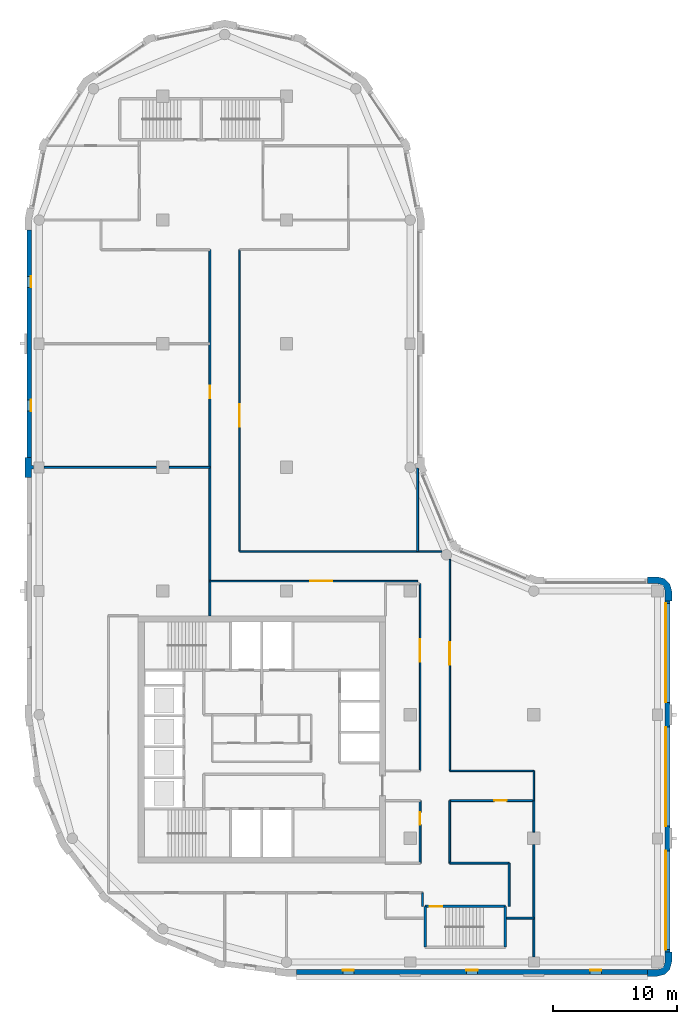
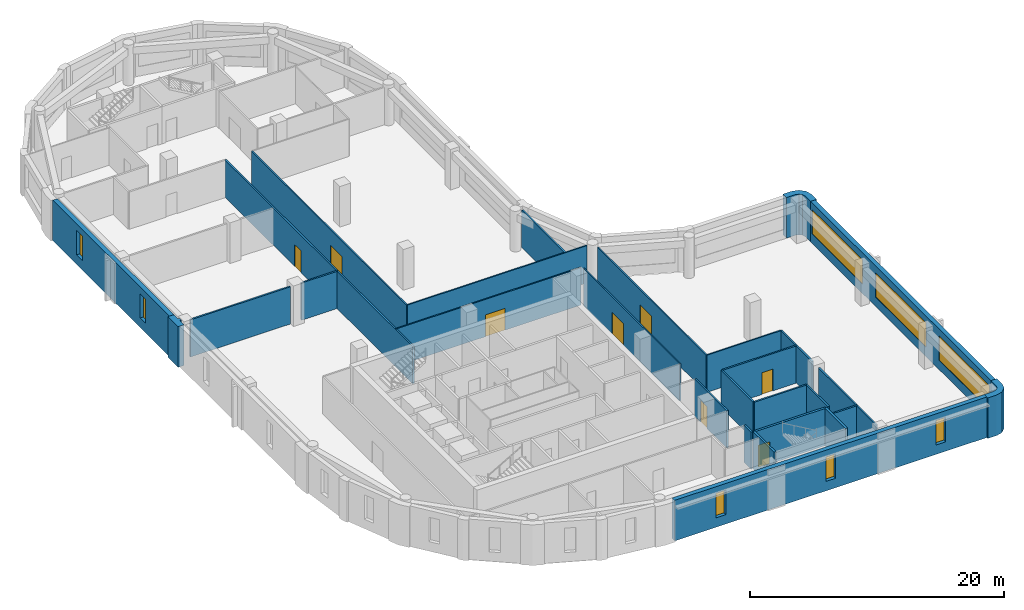
# One storey, part 4 of 9: 29 walls, 8 doors, 8 windows, 16 openings.
"""IFC4 building model written with IfcOpenShell, lengths in metres."""

from ifc_helpers import new_model, si_unit, direction, frame, frame_2d, origin, place, context, subcontext, project, spatial, polyline, rectangle, outline, extrude, material, layer, layer_set, type_object, element, fill, save


model = new_model("IFC4")

# Units and contexts
model_context = context("Model", 3, precision=1e-05, world=origin(), true_north=direction((0.0, 1.0)))
body_context = subcontext(model_context, "Body", "Model", "MODEL_VIEW")
ifc_project = project(units=[si_unit("LENGTHUNIT", "METRE"), si_unit("AREAUNIT", "SQUARE_METRE"), si_unit("VOLUMEUNIT", "CUBIC_METRE"), si_unit("PLANEANGLEUNIT", "RADIAN"), si_unit("MASSUNIT", "GRAM", prefix="KILO")], contexts=[model_context])

# Site, building, storey
site_placement = place(None, origin())
site = spatial("IfcSite", under=ifc_project, at=site_placement, CompositionType="ELEMENT")
building_placement = place(site_placement, origin())
building = spatial("IfcBuilding", under=site, at=building_placement, Name="Qaws Garden Tower", CompositionType="ELEMENT")
storey_placement = place(building_placement, frame((0.0, 0.0, 255.300048828125)))
storey = spatial("IfcBuildingStorey", under=building, at=storey_placement, Name="L61", CompositionType="ELEMENT", Elevation=255.300048828125)

# Walls
ifc_material_1 = material(Name="Clay facing brick masonry", Category="masonry")
ifc_layer_1 = layer(ifc_material_1, 0.550048828125)
ifc_layer_set_1 = layer_set([ifc_layer_1], Name="Clay facing brick masonry")
wall_type_1 = type_object("IfcWallType", Name="Brick corner pier 550 x 2400", PredefinedType="SOLIDWALL", material=ifc_layer_set_1)
placement = place(storey_placement, origin())
element("IfcWall", 1, at=placement, inside=storey, type_object=wall_type_1, Name="E-L61-pier-03", PredefinedType="SOLIDWALL", context=body_context, shape_type="SweptSolid", body=[
    extrude(outline(polyline([(49.199951171875, -1.0), (49.199951171875, -1.14990234375), (50.0, -1.14990234375), (50.574951171875, -0.995849609375), (50.995849609375, -0.574951171875), (51.14990234375, 0.0), (51.14990234375, 0.800048828125), (51.0, 0.800048828125), (50.60009765625, 0.800048828125), (50.60009765625, 0.0), (50.51953125, -0.300048828125), (50.300048828125, -0.51953125), (50.0, -0.60009765625), (49.199951171875, -0.60009765625), (49.199951171875, -1.0)])), origin(), (0.0, 0.0, 1.0), 3.89990234375),
])
element("IfcWall", 2, at=placement, inside=storey, type_object=wall_type_1, Name="E-L61-pier-06", PredefinedType="SOLIDWALL", context=body_context, shape_type="SweptSolid", body=[
    extrude(outline(polyline([(51.0, 29.199951171875), (51.14990234375, 29.199951171875), (51.14990234375, 30.0), (50.995849609375, 30.574951171875), (50.574951171875, 30.995849609375), (50.0, 31.14990234375), (49.199951171875, 31.14990234375), (49.199951171875, 31.0), (49.199951171875, 30.60009765625), (50.0, 30.60009765625), (50.300048828125, 30.51953125), (50.51953125, 30.300048828125), (50.60009765625, 30.0), (50.60009765625, 29.199951171875), (51.0, 29.199951171875)])), origin(), (0.0, 0.0, 1.0), 3.89990234375),
])

# Wall, openings, windows
ifc_material_2 = material(Name="Clay facing brick masonry", Category="masonry")
ifc_layer_2 = layer(ifc_material_2, 0.39990234375)
ifc_layer_set_2 = layer_set([ifc_layer_2], Name="Clay facing brick masonry")
wall_type_2 = type_object("IfcWallType", Name="Brick infill wall 400", PredefinedType="SOLIDWALL", material=ifc_layer_set_2)
wall_3_placement = place(storey_placement, frame((20.800048828125, -0.800048828125, 0.0), z_axis=(0.0, 0.0, 1.0), x_axis=(1.0, 0.0, 0.0)))
wall_3 = element("IfcWall", 3, at=wall_3_placement, inside=storey, type_object=wall_type_2, Name="E-L61-infill-00", PredefinedType="SOLIDWALL", context=body_context, shape_type="SweptSolid", body=[
    extrude(rectangle(XDim=28.39990234375, YDim=0.39990234375, at=frame_2d((14.199951171875, 0.0))), origin(), (0.0, 0.0, 1.0), 3.89990234375),
])
opening_1_placement = place(wall_3_placement, frame((3.75, 0.0, 0.89990234375)))
opening_1 = element("IfcOpeningElement", 4, at=opening_1_placement, cuts=wall_3, Name="Opening W09", PredefinedType="OPENING", context=body_context, shape_type="SweptSolid", body=[
    extrude(rectangle(XDim=0.89990234375, YDim=2.35009765625, at=frame_2d((0.449951171875, 1.175048828125))), frame((0.0, 0.2099609375, 0.0), z_axis=(0.0, -1.0, 0.0), x_axis=(1.0, 0.0, 0.0)), (0.0, 0.0, 1.0), 0.419921875),
])
opening_2_placement = place(wall_3_placement, frame((13.75, 0.0, 0.89990234375)))
opening_2 = element("IfcOpeningElement", 5, at=opening_2_placement, cuts=wall_3, Name="Opening W09", PredefinedType="OPENING", context=body_context, shape_type="SweptSolid", body=[
    extrude(rectangle(XDim=0.89990234375, YDim=2.35009765625, at=frame_2d((0.449951171875, 1.175048828125))), frame((0.0, 0.2099609375, 0.0), z_axis=(0.0, -1.0, 0.0), x_axis=(1.0, 0.0, 0.0)), (0.0, 0.0, 1.0), 0.419921875),
])
opening_3_placement = place(wall_3_placement, frame((23.75, 0.0, 0.89990234375)))
opening_3 = element("IfcOpeningElement", 6, at=opening_3_placement, cuts=wall_3, Name="Opening W09", PredefinedType="OPENING", context=body_context, shape_type="SweptSolid", body=[
    extrude(rectangle(XDim=0.89990234375, YDim=2.35009765625, at=frame_2d((0.449951171875, 1.175048828125))), frame((0.0, 0.2099609375, 0.0), z_axis=(0.0, -1.0, 0.0), x_axis=(1.0, 0.0, 0.0)), (0.0, 0.0, 1.0), 0.419921875),
])
ifc_material_3 = material(Name="Aluminium framed window, clear glazing", Category="aluminium")
window_type_1 = type_object("IfcWindowType", Name="Slit window 900 x 2350", PartitioningType="SINGLE_PANEL", PredefinedType="WINDOW", material=ifc_material_3)
window_1_placement = place(opening_1_placement, origin())
window_1 = element("IfcWindow", 7, at=window_1_placement, inside=storey, type_object=window_type_1, Name="E-L61-window-00-0", OverallHeight=2.35009765625, OverallWidth=0.89990234375, PartitioningType="SINGLE_PANEL", PredefinedType="WINDOW", context=body_context, shape_type="SweptSolid", body=[
    extrude(rectangle(XDim=0.89990234375, YDim=2.35009765625, at=frame_2d((0.449951171875, 1.175048828125))), frame((0.0, 0.159912109375, 0.0), z_axis=(0.0, -1.0, 0.0), x_axis=(1.0, 0.0, 0.0)), (0.0, 0.0, 1.0), 0.06005859375),
])
fill(opening_1, window_1)
window_2_placement = place(opening_2_placement, origin())
window_2 = element("IfcWindow", 8, at=window_2_placement, inside=storey, type_object=window_type_1, Name="E-L61-window-01-0", OverallHeight=2.35009765625, OverallWidth=0.89990234375, PartitioningType="SINGLE_PANEL", PredefinedType="WINDOW", context=body_context, shape_type="SweptSolid", body=[
    extrude(rectangle(XDim=0.89990234375, YDim=2.35009765625, at=frame_2d((0.449951171875, 1.175048828125))), frame((0.0, 0.159912109375, 0.0), z_axis=(0.0, -1.0, 0.0), x_axis=(1.0, 0.0, 0.0)), (0.0, 0.0, 1.0), 0.06005859375),
])
fill(opening_2, window_2)
window_3_placement = place(opening_3_placement, origin())
window_3 = element("IfcWindow", 9, at=window_3_placement, inside=storey, type_object=window_type_1, Name="E-L61-window-02-0", OverallHeight=2.35009765625, OverallWidth=0.89990234375, PartitioningType="SINGLE_PANEL", PredefinedType="WINDOW", context=body_context, shape_type="SweptSolid", body=[
    extrude(rectangle(XDim=0.89990234375, YDim=2.35009765625, at=frame_2d((0.449951171875, 1.175048828125))), frame((0.0, 0.159912109375, 0.0), z_axis=(0.0, -1.0, 0.0), x_axis=(1.0, 0.0, 0.0)), (0.0, 0.0, 1.0), 0.06005859375),
])
fill(opening_3, window_3)

wall_4_placement = place(storey_placement, frame((50.800048828125, 0.800048828125, 0.0), z_axis=(0.0, 0.0, 1.0), x_axis=(0.0, 1.0, 0.0)))
wall_4 = element("IfcWall", 10, at=wall_4_placement, inside=storey, type_object=wall_type_2, Name="E-L61-infill-03", PredefinedType="SOLIDWALL", context=body_context, shape_type="SweptSolid", body=[
    extrude(rectangle(XDim=28.39990234375, YDim=0.39990234375, at=frame_2d((14.199951171875, 0.0))), origin(), (0.0, 0.0, 1.0), 3.89990234375),
])
opening_4_placement = place(wall_4_placement, frame((0.199951171875, 0.0, 0.89990234375)))
opening_4 = element("IfcOpeningElement", 11, at=opening_4_placement, cuts=wall_4, Name="Opening W01", PredefinedType="OPENING", context=body_context, shape_type="SweptSolid", body=[
    extrude(rectangle(XDim=8.0, YDim=2.35009765625, at=frame_2d((4.0, 1.175048828125))), frame((0.0, 0.2099609375, 0.0), z_axis=(0.0, -1.0, 0.0), x_axis=(1.0, 0.0, 0.0)), (0.0, 0.0, 1.0), 0.419921875),
])
opening_5_placement = place(wall_4_placement, frame((10.199951171875, 0.0, 0.89990234375)))
opening_5 = element("IfcOpeningElement", 12, at=opening_5_placement, cuts=wall_4, Name="Opening W01", PredefinedType="OPENING", context=body_context, shape_type="SweptSolid", body=[
    extrude(rectangle(XDim=8.0, YDim=2.35009765625, at=frame_2d((4.0, 1.175048828125))), frame((0.0, 0.2099609375, 0.0), z_axis=(0.0, -1.0, 0.0), x_axis=(1.0, 0.0, 0.0)), (0.0, 0.0, 1.0), 0.419921875),
])
opening_6_placement = place(wall_4_placement, frame((20.199951171875, 0.0, 0.89990234375)))
opening_6 = element("IfcOpeningElement", 13, at=opening_6_placement, cuts=wall_4, Name="Opening W01", PredefinedType="OPENING", context=body_context, shape_type="SweptSolid", body=[
    extrude(rectangle(XDim=8.0, YDim=2.35009765625, at=frame_2d((4.0, 1.175048828125))), frame((0.0, 0.2099609375, 0.0), z_axis=(0.0, -1.0, 0.0), x_axis=(1.0, 0.0, 0.0)), (0.0, 0.0, 1.0), 0.419921875),
])
ifc_material_4 = material(Name="Aluminium framed window, clear glazing", Category="aluminium")
window_type_2 = type_object("IfcWindowType", Name="Ribbon window 8000 x 2350", PartitioningType="DOUBLE_PANEL_VERTICAL", PredefinedType="WINDOW", material=ifc_material_4)
window_4_placement = place(opening_4_placement, origin())
window_4 = element("IfcWindow", 14, at=window_4_placement, inside=storey, type_object=window_type_2, Name="E-L61-window-03-0", OverallHeight=2.35009765625, OverallWidth=8.0, PartitioningType="SINGLE_PANEL", PredefinedType="WINDOW", context=body_context, shape_type="SweptSolid", body=[
    extrude(rectangle(XDim=8.0, YDim=2.35009765625, at=frame_2d((4.0, 1.175048828125))), frame((0.0, 0.159912109375, 0.0), z_axis=(0.0, -1.0, 0.0), x_axis=(1.0, 0.0, 0.0)), (0.0, 0.0, 1.0), 0.06005859375),
])
fill(opening_4, window_4)
window_5_placement = place(opening_5_placement, origin())
window_5 = element("IfcWindow", 15, at=window_5_placement, inside=storey, type_object=window_type_2, Name="E-L61-window-04-0", OverallHeight=2.35009765625, OverallWidth=8.0, PartitioningType="SINGLE_PANEL", PredefinedType="WINDOW", context=body_context, shape_type="SweptSolid", body=[
    extrude(rectangle(XDim=8.0, YDim=2.35009765625, at=frame_2d((4.0, 1.175048828125))), frame((0.0, 0.159912109375, 0.0), z_axis=(0.0, -1.0, 0.0), x_axis=(1.0, 0.0, 0.0)), (0.0, 0.0, 1.0), 0.06005859375),
])
fill(opening_5, window_5)
window_6_placement = place(opening_6_placement, origin())
window_6 = element("IfcWindow", 16, at=window_6_placement, inside=storey, type_object=window_type_2, Name="E-L61-window-05-0", OverallHeight=2.35009765625, OverallWidth=8.0, PartitioningType="SINGLE_PANEL", PredefinedType="WINDOW", context=body_context, shape_type="SweptSolid", body=[
    extrude(rectangle(XDim=8.0, YDim=2.35009765625, at=frame_2d((4.0, 1.175048828125))), frame((0.0, 0.159912109375, 0.0), z_axis=(0.0, -1.0, 0.0), x_axis=(1.0, 0.0, 0.0)), (0.0, 0.0, 1.0), 0.06005859375),
])
fill(opening_6, window_6)

wall_5_placement = place(storey_placement, frame((-0.800048828125, 59.199951171875, 0.0), z_axis=(0.0, 0.0, 1.0), x_axis=(0.0, -1.0, 0.0)))
wall_5 = element("IfcWall", 17, at=wall_5_placement, inside=storey, type_object=wall_type_2, Name="E-L61-infill-19", PredefinedType="SOLIDWALL", context=body_context, shape_type="SweptSolid", body=[
    extrude(rectangle(XDim=18.39990234375, YDim=0.39990234375, at=frame_2d((9.199951171875, 0.0))), origin(), (0.0, 0.0, 1.0), 3.89990234375),
])
opening_7_placement = place(wall_5_placement, frame((3.75, 0.0, 0.89990234375)))
opening_7 = element("IfcOpeningElement", 18, at=opening_7_placement, cuts=wall_5, Name="Opening W09", PredefinedType="OPENING", context=body_context, shape_type="SweptSolid", body=[
    extrude(rectangle(XDim=0.89990234375, YDim=2.35009765625, at=frame_2d((0.449951171875, 1.175048828125))), frame((0.0, 0.2099609375, 0.0), z_axis=(0.0, -1.0, 0.0), x_axis=(1.0, 0.0, 0.0)), (0.0, 0.0, 1.0), 0.419921875),
])
opening_8_placement = place(wall_5_placement, frame((13.75, 0.0, 0.89990234375)))
opening_8 = element("IfcOpeningElement", 19, at=opening_8_placement, cuts=wall_5, Name="Opening W09", PredefinedType="OPENING", context=body_context, shape_type="SweptSolid", body=[
    extrude(rectangle(XDim=0.89990234375, YDim=2.35009765625, at=frame_2d((0.449951171875, 1.175048828125))), frame((0.0, 0.2099609375, 0.0), z_axis=(0.0, -1.0, 0.0), x_axis=(1.0, 0.0, 0.0)), (0.0, 0.0, 1.0), 0.419921875),
])
window_7_placement = place(opening_7_placement, origin())
window_7 = element("IfcWindow", 20, at=window_7_placement, inside=storey, type_object=window_type_1, Name="E-L61-window-19-0", OverallHeight=2.35009765625, OverallWidth=0.89990234375, PartitioningType="SINGLE_PANEL", PredefinedType="WINDOW", context=body_context, shape_type="SweptSolid", body=[
    extrude(rectangle(XDim=0.89990234375, YDim=2.35009765625, at=frame_2d((0.449951171875, 1.175048828125))), frame((0.0, 0.159912109375, 0.0), z_axis=(0.0, -1.0, 0.0), x_axis=(1.0, 0.0, 0.0)), (0.0, 0.0, 1.0), 0.06005859375),
])
fill(opening_7, window_7)
window_8_placement = place(opening_8_placement, origin())
window_8 = element("IfcWindow", 21, at=window_8_placement, inside=storey, type_object=window_type_1, Name="E-L61-window-20-0", OverallHeight=2.35009765625, OverallWidth=0.89990234375, PartitioningType="SINGLE_PANEL", PredefinedType="WINDOW", context=body_context, shape_type="SweptSolid", body=[
    extrude(rectangle(XDim=0.89990234375, YDim=2.35009765625, at=frame_2d((0.449951171875, 1.175048828125))), frame((0.0, 0.159912109375, 0.0), z_axis=(0.0, -1.0, 0.0), x_axis=(1.0, 0.0, 0.0)), (0.0, 0.0, 1.0), 0.06005859375),
])
fill(opening_8, window_8)

# Wall
ifc_material_5 = material(Name="Clay facing brick masonry", Category="masonry")
ifc_layer_3 = layer(ifc_material_5, 0.550048828125)
ifc_layer_set_3 = layer_set([ifc_layer_3], Name="Clay facing brick masonry")
wall_type_3 = type_object("IfcWallType", Name="Brick pier 550 x 1600", PredefinedType="SOLIDWALL", material=ifc_layer_set_3)
element("IfcWall", 22, at=placement, inside=storey, type_object=wall_type_3, Name="E-L61-pier-21", PredefinedType="SOLIDWALL", context=body_context, shape_type="SweptSolid", body=[
    extrude(outline(polyline([(-0.60009765625, 39.199951171875), (-0.60009765625, 39.85009765625), (-0.449951171875, 39.85009765625), (-0.449951171875, 40.14990234375), (-0.60009765625, 40.14990234375), (-0.60009765625, 40.800048828125), (-1.0, 40.800048828125), (-1.14990234375, 40.800048828125), (-1.14990234375, 40.0), (-1.14990234375, 39.199951171875), (-1.0, 39.199951171875), (-0.60009765625, 39.199951171875)])), origin(), (0.0, 0.0, 1.0), 3.89990234375),
])

# Wall, opening, door
ifc_material_6 = material(Name="Concrete C60", Category="concrete")
ifc_layer_4 = layer(ifc_material_6, 0.199951171875)
ifc_layer_set_4 = layer_set([ifc_layer_4], Name="Concrete C60")
wall_type_4 = type_object("IfcWallType", Name="Core shaft wall 200 C60", PredefinedType="SHEAR", material=ifc_layer_set_4)
wall_7_placement = place(storey_placement, frame((31.199951171875, 4.5, 0.0), z_axis=(0.0, 0.0, 1.0), x_axis=(1.0, 0.0, 0.0)))
wall_7 = element("IfcWall", 23, at=wall_7_placement, inside=storey, type_object=wall_type_4, Name="Shaft wall", PredefinedType="SHEAR", context=body_context, shape_type="SweptSolid", body=[
    extrude(rectangle(XDim=6.5, YDim=0.199951171875, at=frame_2d((3.25, 0.0))), origin(), (0.0, 0.0, 1.0), 3.579833984375),
])
opening_9_placement = place(wall_7_placement, frame((0.375, 0.0, 0.0)))
opening_9 = element("IfcOpeningElement", 24, at=opening_9_placement, cuts=wall_7, Name="Opening SD12", PredefinedType="OPENING", context=body_context, shape_type="SweptSolid", body=[
    extrude(rectangle(XDim=1.0, YDim=2.10009765625, at=frame_2d((0.5, 1.050048828125))), frame((0.0, 0.10986328125, 0.0), z_axis=(0.0, -1.0, 0.0), x_axis=(1.0, 0.0, 0.0)), (0.0, 0.0, 1.0), 0.219970703125),
])
ifc_material_7 = material(Name="Steel S235", Category="steel")
door_type_1 = type_object("IfcDoorType", Name="Stair door 1000x2100", OperationType="SINGLE_SWING_RIGHT", PredefinedType="DOOR", material=ifc_material_7)
door_1_placement = place(opening_9_placement, frame((1.0, 0.0, 0.0), z_axis=(0.0, 0.0, 1.0), x_axis=(-1.0, 0.0, 0.0)))
door_1 = element("IfcDoor", 25, at=door_1_placement, inside=storey, type_object=door_type_1, Name="Stair 5 door", OperationType="SINGLE_SWING_RIGHT", OverallHeight=2.10009765625, OverallWidth=1.0, PredefinedType="DOOR", context=body_context, shape_type="SweptSolid", body=[
    extrude(rectangle(XDim=1.0, YDim=2.10009765625, at=frame_2d((0.5, 1.050048828125))), frame((0.0, 0.02490234375, 0.0), z_axis=(0.0, -1.0, 0.0), x_axis=(1.0, 0.0, 0.0)), (0.0, 0.0, 1.0), 0.050048828125),
])
fill(opening_9, door_1)

# Walls
for number, where, z_axis, x_axis, name in (
    (26, (31.199951171875, 1.199951171875, 0.0), (0.0, 0.0, 1.0), (0.0, 1.0, 0.0), "Shaft wall"),
    (27, (37.699951171875, 1.199951171875, 0.0), (0.0, 0.0, 1.0), (0.0, 1.0, 0.0), "Shaft wall"),
):
    element("IfcWall", number, at=place(storey_placement, frame(where, z_axis=z_axis, x_axis=x_axis)), inside=storey, type_object=wall_type_4, Name=name, PredefinedType="SHEAR", context=body_context, shape_type="SweptSolid", body=[
        extrude(rectangle(XDim=3.300048828125, YDim=0.199951171875, at=frame_2d((1.64990234375, 0.0))), origin(), (0.0, 0.0, 1.0), 3.579833984375),
    ])

# Wall, opening, door
ifc_material_8 = material(Name="Glass and aluminium framing", Category="aluminium")
ifc_layer_5 = layer(ifc_material_8, 0.1201171875)
ifc_layer_set_5 = layer_set([ifc_layer_5], Name="Glass and aluminium framing")
wall_type_5 = type_object("IfcWallType", Name="GLAZED PARTITION 120 EI 30", PredefinedType="PARTITIONING", material=ifc_layer_set_5)
wall_8_placement = place(storey_placement, frame((16.199951171875, 33.199951171875, 0.0), z_axis=(0.0, 0.0, 1.0), x_axis=(0.0, 1.0, 0.0)))
wall_8 = element("IfcWall", 28, at=wall_8_placement, inside=storey, type_object=wall_type_5, Name="O-L61-wall-036", PredefinedType="PARTITIONING", context=body_context, shape_type="SweptSolid", body=[
    extrude(rectangle(XDim=24.400146484375, YDim=0.1201171875, at=frame_2d((12.2001953125, 0.0))), origin(), (0.0, 0.0, 1.0), 3.579833984375),
])
opening_10_placement = place(wall_8_placement, frame((10.10009765625, 0.0, 0.0)))
opening_10 = element("IfcOpeningElement", 29, at=opening_10_placement, cuts=wall_8, Name="Opening C104", PredefinedType="OPENING", context=body_context, shape_type="SweptSolid", body=[
    extrude(rectangle(XDim=1.800048828125, YDim=2.10009765625, at=frame_2d((0.89990234375, 1.050048828125))), frame((0.0, 0.070068359375, 0.0), z_axis=(0.0, -1.0, 0.0), x_axis=(1.0, 0.0, 0.0)), (0.0, 0.0, 1.0), 0.14013671875),
])
ifc_material_9 = material(Name="Timber door leaf", Category="wood")
door_type_2 = type_object("IfcDoorType", Name="DOUBLE DOOR 1800 X 2100", OperationType="DOUBLE_DOOR_SINGLE_SWING", PredefinedType="DOOR", material=ifc_material_9)
door_2_placement = place(opening_10_placement, frame((1.800048828125, 0.0, 0.0), z_axis=(0.0, 0.0, 1.0), x_axis=(-1.0, 0.0, 0.0)))
door_2 = element("IfcDoor", 30, at=door_2_placement, inside=storey, type_object=door_type_2, Name="O-L61-door-004", OperationType="DOUBLE_DOOR_SINGLE_SWING", OverallHeight=2.10009765625, OverallWidth=1.800048828125, PredefinedType="DOOR", context=body_context, shape_type="SweptSolid", body=[
    extrude(rectangle(XDim=1.800048828125, YDim=2.10009765625, at=frame_2d((0.89990234375, 1.050048828125))), frame((0.0, 0.02490234375, 0.0), z_axis=(0.0, -1.0, 0.0), x_axis=(1.0, 0.0, 0.0)), (0.0, 0.0, 1.0), 0.050048828125),
])
fill(opening_10, door_2)

wall_9_placement = place(storey_placement, frame((30.800048828125, 15.449951171875, 0.0), z_axis=(0.0, 0.0, 1.0), x_axis=(0.0, 1.0, 0.0)))
wall_9 = element("IfcWall", 31, at=wall_9_placement, inside=storey, type_object=wall_type_5, Name="O-L61-wall-039", PredefinedType="PARTITIONING", context=body_context, shape_type="SweptSolid", body=[
    extrude(rectangle(XDim=15.150146484375, YDim=0.1201171875, at=frame_2d((7.5751953125, 0.0))), origin(), (0.0, 0.0, 1.0), 3.579833984375),
])
opening_11_placement = place(wall_9_placement, frame((8.85009765625, 0.0, 0.0)))
opening_11 = element("IfcOpeningElement", 32, at=opening_11_placement, cuts=wall_9, Name="Opening C109", PredefinedType="OPENING", context=body_context, shape_type="SweptSolid", body=[
    extrude(rectangle(XDim=1.800048828125, YDim=2.10009765625, at=frame_2d((0.89990234375, 1.050048828125))), frame((0.0, 0.070068359375, 0.0), z_axis=(0.0, -1.0, 0.0), x_axis=(1.0, 0.0, 0.0)), (0.0, 0.0, 1.0), 0.14013671875),
])
door_3_placement = place(opening_11_placement, origin())
door_3 = element("IfcDoor", 33, at=door_3_placement, inside=storey, type_object=door_type_2, Name="O-L61-door-009", OperationType="DOUBLE_DOOR_SINGLE_SWING", OverallHeight=2.10009765625, OverallWidth=1.800048828125, PredefinedType="DOOR", context=body_context, shape_type="SweptSolid", body=[
    extrude(rectangle(XDim=1.800048828125, YDim=2.10009765625, at=frame_2d((0.89990234375, 1.050048828125))), frame((0.0, 0.02490234375, 0.0), z_axis=(0.0, -1.0, 0.0), x_axis=(1.0, 0.0, 0.0)), (0.0, 0.0, 1.0), 0.050048828125),
])
fill(opening_11, door_3)

wall_10_placement = place(storey_placement, frame((33.199951171875, 15.449951171875, 0.0), z_axis=(0.0, 0.0, 1.0), x_axis=(0.0, 1.0, 0.0)))
wall_10 = element("IfcWall", 34, at=wall_10_placement, inside=storey, type_object=wall_type_5, Name="O-L61-wall-040", PredefinedType="PARTITIONING", context=body_context, shape_type="SweptSolid", body=[
    extrude(rectangle(XDim=17.110107421875, YDim=0.1201171875, at=frame_2d((8.55517578125, 0.0))), origin(), (0.0, 0.0, 1.0), 3.579833984375),
])
opening_12_placement = place(wall_10_placement, frame((8.60009765625, 0.0, 0.0)))
opening_12 = element("IfcOpeningElement", 35, at=opening_12_placement, cuts=wall_10, Name="Opening C110", PredefinedType="OPENING", context=body_context, shape_type="SweptSolid", body=[
    extrude(rectangle(XDim=1.800048828125, YDim=2.10009765625, at=frame_2d((0.89990234375, 1.050048828125))), frame((0.0, 0.070068359375, 0.0), z_axis=(0.0, -1.0, 0.0), x_axis=(1.0, 0.0, 0.0)), (0.0, 0.0, 1.0), 0.14013671875),
])
door_4_placement = place(opening_12_placement, frame((1.800048828125, 0.0, 0.0), z_axis=(0.0, 0.0, 1.0), x_axis=(-1.0, 0.0, 0.0)))
door_4 = element("IfcDoor", 36, at=door_4_placement, inside=storey, type_object=door_type_2, Name="O-L61-door-010", OperationType="DOUBLE_DOOR_SINGLE_SWING", OverallHeight=2.10009765625, OverallWidth=1.800048828125, PredefinedType="DOOR", context=body_context, shape_type="SweptSolid", body=[
    extrude(rectangle(XDim=1.800048828125, YDim=2.10009765625, at=frame_2d((0.89990234375, 1.050048828125))), frame((0.0, 0.02490234375, 0.0), z_axis=(0.0, -1.0, 0.0), x_axis=(1.0, 0.0, 0.0)), (0.0, 0.0, 1.0), 0.050048828125),
])
fill(opening_12, door_4)

# Walls
wall_11_placement = place(storey_placement, frame((40.0, 13.050048828125, 0.0), z_axis=(0.0, 0.0, 1.0), x_axis=(0.0, 1.0, 0.0)))
element("IfcWall", 37, at=wall_11_placement, inside=storey, type_object=wall_type_5, Name="O-L61-wall-041", PredefinedType="PARTITIONING", context=body_context, shape_type="SweptSolid", body=[
    extrude(rectangle(XDim=2.39990234375, YDim=0.1201171875, at=frame_2d((1.199951171875, 0.0))), origin(), (0.0, 0.0, 1.0), 3.579833984375),
])
wall_12_placement = place(storey_placement, frame((33.199951171875, 15.449951171875, 0.0), z_axis=(0.0, 0.0, 1.0), x_axis=(1.0, 0.0, 0.0)))
element("IfcWall", 38, at=wall_12_placement, inside=storey, type_object=wall_type_5, Name="O-L61-wall-043", PredefinedType="PARTITIONING", context=body_context, shape_type="SweptSolid", body=[
    extrude(rectangle(XDim=6.800048828125, YDim=0.1201171875, at=frame_2d((3.39990234375, 0.0))), origin(), (0.0, 0.0, 1.0), 3.579833984375),
])

# Wall, opening, door
wall_13_placement = place(storey_placement, frame((13.802001953125, 30.800048828125, 0.0), z_axis=(0.0, 0.0, 1.0), x_axis=(1.0, 0.0, 0.0)))
wall_13 = element("IfcWall", 39, at=wall_13_placement, inside=storey, type_object=wall_type_5, Name="O-L61-wall-044", PredefinedType="PARTITIONING", context=body_context, shape_type="SweptSolid", body=[
    extrude(rectangle(XDim=16.798095703125, YDim=0.1201171875, at=frame_2d((8.39892578125, 0.0))), origin(), (0.0, 0.0, 1.0), 3.579833984375),
])
opening_13_placement = place(wall_13_placement, frame((8.10009765625, 0.0, 0.0)))
opening_13 = element("IfcOpeningElement", 40, at=opening_13_placement, cuts=wall_13, Name="Opening C107", PredefinedType="OPENING", context=body_context, shape_type="SweptSolid", body=[
    extrude(rectangle(XDim=1.800048828125, YDim=2.10009765625, at=frame_2d((0.89990234375, 1.050048828125))), frame((0.0, 0.070068359375, 0.0), z_axis=(0.0, -1.0, 0.0), x_axis=(1.0, 0.0, 0.0)), (0.0, 0.0, 1.0), 0.14013671875),
])
door_5_placement = place(opening_13_placement, frame((1.800048828125, 0.0, 0.0), z_axis=(0.0, 0.0, 1.0), x_axis=(-1.0, 0.0, 0.0)))
door_5 = element("IfcDoor", 41, at=door_5_placement, inside=storey, type_object=door_type_2, Name="O-L61-door-007", OperationType="DOUBLE_DOOR_SINGLE_SWING", OverallHeight=2.10009765625, OverallWidth=1.800048828125, PredefinedType="DOOR", context=body_context, shape_type="SweptSolid", body=[
    extrude(rectangle(XDim=1.800048828125, YDim=2.10009765625, at=frame_2d((0.89990234375, 1.050048828125))), frame((0.0, 0.02490234375, 0.0), z_axis=(0.0, -1.0, 0.0), x_axis=(1.0, 0.0, 0.0)), (0.0, 0.0, 1.0), 0.050048828125),
])
fill(opening_13, door_5)

# Wall
wall_14_placement = place(storey_placement, frame((16.199951171875, 33.199951171875, 0.0), z_axis=(0.0, 0.0, 1.0), x_axis=(1.0, 0.0, 0.0)))
element("IfcWall", 42, at=wall_14_placement, inside=storey, type_object=wall_type_5, Name="O-L61-wall-045", PredefinedType="PARTITIONING", context=body_context, shape_type="SweptSolid", body=[
    extrude(rectangle(XDim=16.360107421875, YDim=0.1201171875, at=frame_2d((8.18017578125, 0.0))), origin(), (0.0, 0.0, 1.0), 3.579833984375),
])

# Wall, opening, door
ifc_material_10 = material(Name="Gypsum board partition")
ifc_layer_6 = layer(ifc_material_10, 0.14990234375)
ifc_layer_set_6 = layer_set([ifc_layer_6], Name="Gypsum board partition")
wall_type_6 = type_object("IfcWallType", Name="PARTITION 150 EI 60", PredefinedType="PARTITIONING", material=ifc_layer_set_6)
wall_15_placement = place(storey_placement, frame((13.800048828125, 28.0, 0.0), z_axis=(0.0, 0.0, 1.0), x_axis=(0.0, 1.0, 0.0)))
wall_15 = element("IfcWall", 43, at=wall_15_placement, inside=storey, type_object=wall_type_6, Name="O-L61-wall-006", PredefinedType="PARTITIONING", context=body_context, shape_type="SweptSolid", body=[
    extrude(rectangle(XDim=29.60009765625, YDim=0.14990234375, at=frame_2d((14.800048828125, 0.0))), origin(), (0.0, 0.0, 1.0), 3.579833984375),
])
opening_14_placement = place(wall_15_placement, frame((17.60107421875, 0.0, 0.0)))
opening_14 = element("IfcOpeningElement", 44, at=opening_14_placement, cuts=wall_15, Name="Opening C115", PredefinedType="OPENING", context=body_context, shape_type="SweptSolid", body=[
    extrude(rectangle(XDim=1.0, YDim=2.10009765625, at=frame_2d((0.5, 1.050048828125))), frame((0.0, 0.0849609375, 0.0), z_axis=(0.0, -1.0, 0.0), x_axis=(1.0, 0.0, 0.0)), (0.0, 0.0, 1.0), 0.169921875),
])
ifc_material_11 = material(Name="Timber door leaf", Category="wood")
door_type_3 = type_object("IfcDoorType", Name="TENANCY ENTRANCE DOOR 1000 X 2100", OperationType="SINGLE_SWING_LEFT", PredefinedType="DOOR", material=ifc_material_11)
door_6_placement = place(opening_14_placement, origin())
door_6 = element("IfcDoor", 45, at=door_6_placement, inside=storey, type_object=door_type_3, Name="O-L61-door-015", OperationType="SINGLE_SWING_LEFT", OverallHeight=2.10009765625, OverallWidth=1.0, PredefinedType="DOOR", context=body_context, shape_type="SweptSolid", body=[
    extrude(rectangle(XDim=1.0, YDim=2.10009765625, at=frame_2d((0.5, 1.050048828125))), frame((0.0, 0.02490234375, 0.0), z_axis=(0.0, -1.0, 0.0), x_axis=(1.0, 0.0, 0.0)), (0.0, 0.0, 1.0), 0.050048828125),
])
fill(opening_14, door_6)

# Wall
wall_16_placement = place(storey_placement, frame((30.60009765625, 33.199951171875, 0.0), z_axis=(0.0, 0.0, 1.0), x_axis=(0.0, 1.0, 0.0)))
element("IfcWall", 46, at=wall_16_placement, inside=storey, type_object=wall_type_6, Name="O-L61-wall-012", PredefinedType="PARTITIONING", context=body_context, shape_type="SweptSolid", body=[
    extrude(rectangle(XDim=6.73828125, YDim=0.14990234375, at=frame_2d((3.369140625, 0.0))), origin(), (0.0, 0.0, 1.0), 3.579833984375),
])

# Wall, opening, door
wall_17_placement = place(storey_placement, frame((30.800048828125, 8.0, 0.0), z_axis=(0.0, 0.0, 1.0), x_axis=(0.0, 1.0, 0.0)))
wall_17 = element("IfcWall", 47, at=wall_17_placement, inside=storey, type_object=wall_type_6, Name="O-L61-wall-013", PredefinedType="PARTITIONING", context=body_context, shape_type="SweptSolid", body=[
    extrude(rectangle(XDim=5.050048828125, YDim=0.14990234375, at=frame_2d((2.52490234375, 0.0))), origin(), (0.0, 0.0, 1.0), 3.579833984375),
])
opening_15_placement = place(wall_17_placement, frame((3.10009765625, 0.0, 0.0)))
opening_15 = element("IfcOpeningElement", 48, at=opening_15_placement, cuts=wall_17, Name="Opening C113", PredefinedType="OPENING", context=body_context, shape_type="SweptSolid", body=[
    extrude(rectangle(XDim=1.0, YDim=2.10009765625, at=frame_2d((0.5, 1.050048828125))), frame((0.0, 0.0849609375, 0.0), z_axis=(0.0, -1.0, 0.0), x_axis=(1.0, 0.0, 0.0)), (0.0, 0.0, 1.0), 0.169921875),
])
door_7_placement = place(opening_15_placement, origin())
door_7 = element("IfcDoor", 49, at=door_7_placement, inside=storey, type_object=door_type_3, Name="O-L61-door-013", OperationType="SINGLE_SWING_RIGHT", OverallHeight=2.10009765625, OverallWidth=1.0, PredefinedType="DOOR", context=body_context, shape_type="SweptSolid", body=[
    extrude(rectangle(XDim=1.0, YDim=2.10009765625, at=frame_2d((0.5, 1.050048828125))), frame((0.0, 0.02490234375, 0.0), z_axis=(0.0, -1.0, 0.0), x_axis=(1.0, 0.0, 0.0)), (0.0, 0.0, 1.0), 0.050048828125),
])
fill(opening_15, door_7)

# Walls
wall_18_placement = place(storey_placement, frame((31.0, 4.5, 0.0), z_axis=(0.0, 0.0, 1.0), x_axis=(0.0, 1.0, 0.0)))
element("IfcWall", 50, at=wall_18_placement, inside=storey, type_object=wall_type_6, Name="O-L61-wall-014", PredefinedType="PARTITIONING", context=body_context, shape_type="SweptSolid", body=[
    extrude(rectangle(XDim=1.10009765625, YDim=0.14990234375, at=frame_2d((0.550048828125, 0.0))), origin(), (0.0, 0.0, 1.0), 3.579833984375),
])
wall_19_placement = place(storey_placement, frame((33.199951171875, 8.0, 0.0), z_axis=(0.0, 0.0, 1.0), x_axis=(0.0, 1.0, 0.0)))
element("IfcWall", 51, at=wall_19_placement, inside=storey, type_object=wall_type_6, Name="O-L61-wall-015", PredefinedType="PARTITIONING", context=body_context, shape_type="SweptSolid", body=[
    extrude(rectangle(XDim=5.050048828125, YDim=0.14990234375, at=frame_2d((2.52490234375, 0.0))), origin(), (0.0, 0.0, 1.0), 3.579833984375),
])
wall_20_placement = place(storey_placement, frame((38.0, 4.5, 0.0), z_axis=(0.0, 0.0, 1.0), x_axis=(0.0, 1.0, 0.0)))
element("IfcWall", 52, at=wall_20_placement, inside=storey, type_object=wall_type_6, Name="O-L61-wall-016", PredefinedType="PARTITIONING", context=body_context, shape_type="SweptSolid", body=[
    extrude(rectangle(XDim=3.5, YDim=0.14990234375, at=frame_2d((1.75, 0.0))), origin(), (0.0, 0.0, 1.0), 3.579833984375),
])
wall_21_placement = place(storey_placement, frame((40.0, 0.39990234375, 0.0), z_axis=(0.0, 0.0, 1.0), x_axis=(0.0, 1.0, 0.0)))
element("IfcWall", 53, at=wall_21_placement, inside=storey, type_object=wall_type_6, Name="O-L61-wall-017", PredefinedType="PARTITIONING", context=body_context, shape_type="SweptSolid", body=[
    extrude(rectangle(XDim=9.10009765625, YDim=0.14990234375, at=frame_2d((4.550048828125, 0.0))), origin(), (0.0, 0.0, 1.0), 3.579833984375),
])
wall_22_placement = place(storey_placement, frame((40.0, 10.5, 0.0), z_axis=(0.0, 0.0, 1.0), x_axis=(0.0, 1.0, 0.0)))
element("IfcWall", 54, at=wall_22_placement, inside=storey, type_object=wall_type_6, Name="O-L61-wall-018", PredefinedType="PARTITIONING", context=body_context, shape_type="SweptSolid", body=[
    extrude(rectangle(XDim=2.550048828125, YDim=0.14990234375, at=frame_2d((1.27490234375, 0.0))), origin(), (0.0, 0.0, 1.0), 3.579833984375),
])
wall_23_placement = place(storey_placement, frame((37.800048828125, 3.550048828125, 0.0), z_axis=(0.0, 0.0, 1.0), x_axis=(1.0, 0.0, 0.0)))
element("IfcWall", 55, at=wall_23_placement, inside=storey, type_object=wall_type_6, Name="O-L61-wall-020", PredefinedType="PARTITIONING", context=body_context, shape_type="SweptSolid", body=[
    extrude(rectangle(XDim=2.199951171875, YDim=0.14990234375, at=frame_2d((1.10009765625, 0.0))), origin(), (0.0, 0.0, 1.0), 3.579833984375),
])
wall_24_placement = place(storey_placement, frame((33.199951171875, 8.0, 0.0), z_axis=(0.0, 0.0, 1.0), x_axis=(1.0, 0.0, 0.0)))
element("IfcWall", 56, at=wall_24_placement, inside=storey, type_object=wall_type_6, Name="O-L61-wall-023", PredefinedType="PARTITIONING", context=body_context, shape_type="SweptSolid", body=[
    extrude(rectangle(XDim=4.800048828125, YDim=0.14990234375, at=frame_2d((2.39990234375, 0.0))), origin(), (0.0, 0.0, 1.0), 3.579833984375),
])

# Wall, opening, door
wall_25_placement = place(storey_placement, frame((33.199951171875, 13.050048828125, 0.0), z_axis=(0.0, 0.0, 1.0), x_axis=(1.0, 0.0, 0.0)))
wall_25 = element("IfcWall", 57, at=wall_25_placement, inside=storey, type_object=wall_type_6, Name="O-L61-wall-025", PredefinedType="PARTITIONING", context=body_context, shape_type="SweptSolid", body=[
    extrude(rectangle(XDim=6.800048828125, YDim=0.14990234375, at=frame_2d((3.39990234375, 0.0))), origin(), (0.0, 0.0, 1.0), 3.579833984375),
])
opening_16_placement = place(wall_25_placement, frame((3.60009765625, 0.0, 0.0)))
opening_16 = element("IfcOpeningElement", 58, at=opening_16_placement, cuts=wall_25, Name="Opening C112", PredefinedType="OPENING", context=body_context, shape_type="SweptSolid", body=[
    extrude(rectangle(XDim=1.0, YDim=2.10009765625, at=frame_2d((0.5, 1.050048828125))), frame((0.0, 0.0849609375, 0.0), z_axis=(0.0, -1.0, 0.0), x_axis=(1.0, 0.0, 0.0)), (0.0, 0.0, 1.0), 0.169921875),
])
door_8_placement = place(opening_16_placement, frame((1.0, 0.0, 0.0), z_axis=(0.0, 0.0, 1.0), x_axis=(-1.0, 0.0, 0.0)))
door_8 = element("IfcDoor", 59, at=door_8_placement, inside=storey, type_object=door_type_3, Name="O-L61-door-012", OperationType="SINGLE_SWING_RIGHT", OverallHeight=2.10009765625, OverallWidth=1.0, PredefinedType="DOOR", context=body_context, shape_type="SweptSolid", body=[
    extrude(rectangle(XDim=1.0, YDim=2.10009765625, at=frame_2d((0.5, 1.050048828125))), frame((0.0, 0.02490234375, 0.0), z_axis=(0.0, -1.0, 0.0), x_axis=(1.0, 0.0, 0.0)), (0.0, 0.0, 1.0), 0.050048828125),
])
fill(opening_16, door_8)

# Walls
wall_26_placement = place(storey_placement, frame((0.39990234375, 40.0, 0.0), z_axis=(0.0, 0.0, 1.0), x_axis=(1.0, 0.0, 0.0)))
element("IfcWall", 60, at=wall_26_placement, inside=storey, type_object=wall_type_6, Name="O-L61-wall-028", PredefinedType="PARTITIONING", context=body_context, shape_type="SweptSolid", body=[
    extrude(rectangle(XDim=9.10009765625, YDim=0.14990234375, at=frame_2d((4.550048828125, 0.0))), origin(), (0.0, 0.0, 1.0), 3.579833984375),
])
wall_27_placement = place(storey_placement, frame((10.5, 40.0, 0.0), z_axis=(0.0, 0.0, 1.0), x_axis=(1.0, 0.0, 0.0)))
element("IfcWall", 61, at=wall_27_placement, inside=storey, type_object=wall_type_6, Name="O-L61-wall-029", PredefinedType="PARTITIONING", context=body_context, shape_type="SweptSolid", body=[
    extrude(rectangle(XDim=3.300048828125, YDim=0.14990234375, at=frame_2d((1.64990234375, 0.0))), origin(), (0.0, 0.0, 1.0), 3.579833984375),
])

save(model, "model.ifc")
